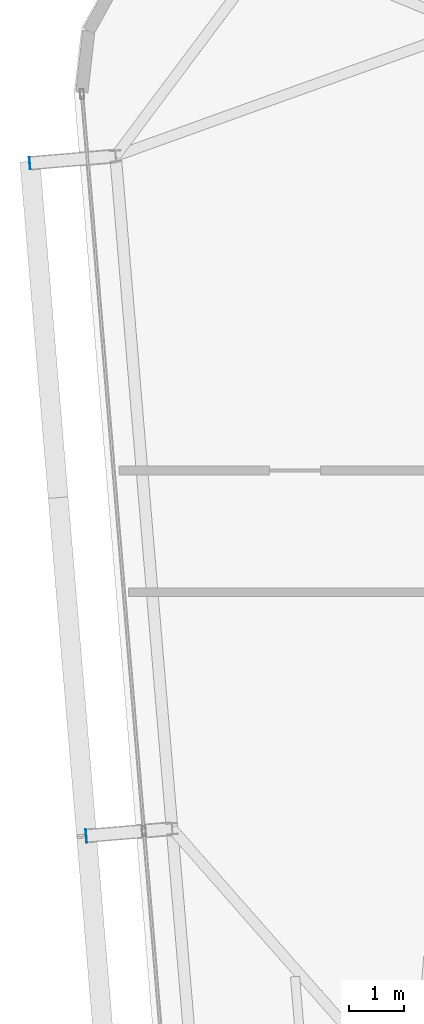
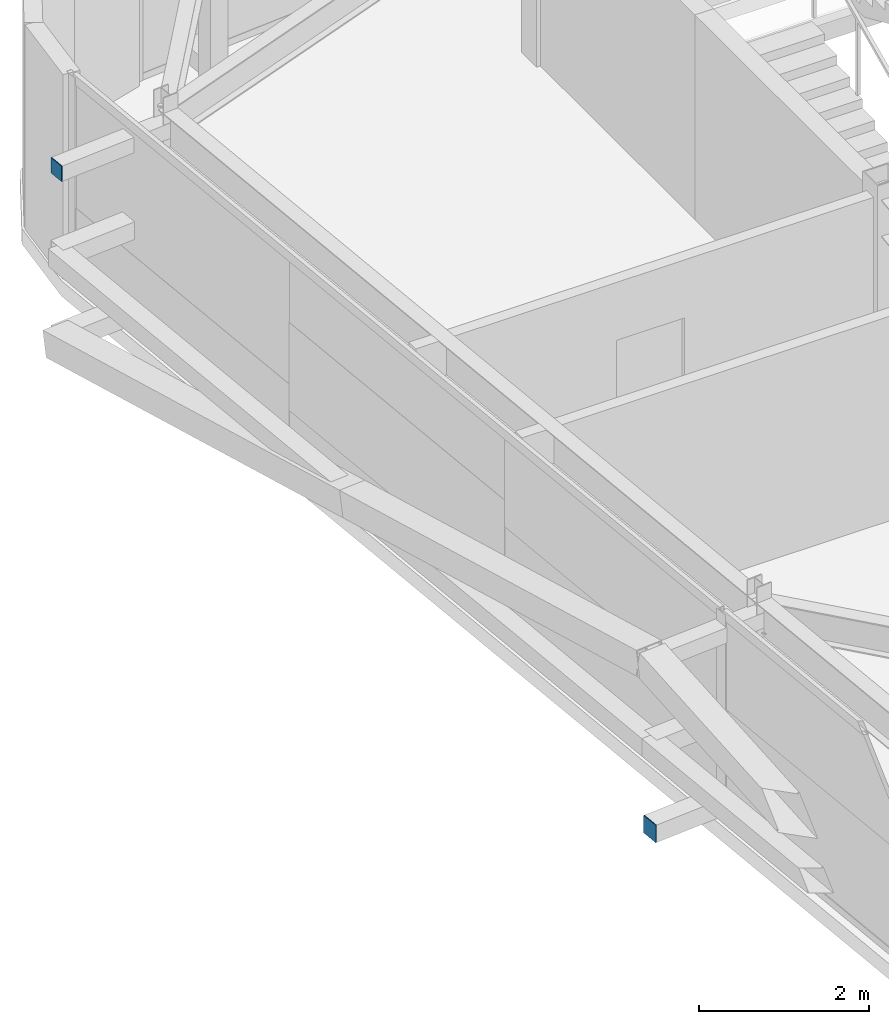
# One storey, part 29 of 39: 2 plates.
"""IFC4 building model written with IfcOpenShell, lengths in metres."""

import ifcopenshell
import ifcopenshell.guid

model = None  # the IFC model being written
_history = None  # IfcOwnerHistory: only IFC2X3 demands one
_inside = {}  # id of a spatial element -> (the spatial element, [elements in it])
_under = {}  # id of a project, library or spatial element -> (it, [spatial elements below it])
_declared = {}  # id of a project -> (the project, [libraries it declares])
_typed = {}  # id of a type object -> (the type object, [elements of that type])
_made_of = {}  # id of a material, layer set ... -> (it, [elements and type objects made of it])


def new_model(schema):
    """Start an empty IFC model of exactly this schema.

    Asked for "IFC4X3", IfcOpenShell would pick the latest addendum, in which some entities
    have other attributes; the version numbers below select the first issue.
    IFC2X3 requires an IfcOwnerHistory on every rooted entity: one is made here for all.
    """
    global model, _history
    if schema == "IFC4X3":
        model = ifcopenshell.file(schema_version=(4, 3, 0, 0))
    else:
        model = ifcopenshell.file(schema=schema)
    _inside.clear()
    _under.clear()
    _declared.clear()
    _typed.clear()
    _made_of.clear()
    _history = None
    if model.schema == "IFC2X3":
        org = make("IfcOrganization", Name="unknown")
        user = make(
            "IfcPersonAndOrganization",
            ThePerson=make("IfcPerson", FamilyName="unknown"),
            TheOrganization=org,
        )
        app = make(
            "IfcApplication",
            ApplicationDeveloper=org,
            Version="unknown",
            ApplicationFullName="unknown",
            ApplicationIdentifier="unknown",
        )
        _history = make(
            "IfcOwnerHistory",
            OwningUser=user,
            OwningApplication=app,
            ChangeAction="ADDED",
            CreationDate=0,
        )
    return model


def make(cls, **values):
    """One entity of the class cls with the attributes given. An attribute that is None is left unset."""
    return model.create_entity(
        cls, **{name: value for name, value in values.items() if value is not None}
    )


def rooted(cls, **values):
    """An entity with a GlobalId (a new one), such as an element, a storey or a relation."""
    return make(cls, GlobalId=ifcopenshell.guid.new(), OwnerHistory=_history, **values)


def si_unit(unit_type, name, prefix=None):
    """IfcSIUnit, for example si_unit("LENGTHUNIT", "METRE", prefix="MILLI")."""
    return make("IfcSIUnit", UnitType=unit_type, Prefix=prefix, Name=name)


def assignment(units):
    """IfcUnitAssignment: the units of a project."""
    return None if units is None else make("IfcUnitAssignment", Units=units)


def point(xyz):
    """IfcCartesianPoint."""
    return None if xyz is None else make("IfcCartesianPoint", Coordinates=xyz)


def direction(xyz):
    """IfcDirection."""
    return None if xyz is None else make("IfcDirection", DirectionRatios=xyz)


def frame(location, z_axis=None, x_axis=None):
    """IfcAxis2Placement3D, a coordinate frame: its origin and axes. An axis left out is left unset."""
    return make(
        "IfcAxis2Placement3D",
        Location=point(location),
        Axis=direction(z_axis),
        RefDirection=direction(x_axis),
    )


def frame_2d(location, x_axis=None):
    """IfcAxis2Placement2D, a coordinate frame in the plane: its origin and x axis."""
    return make(
        "IfcAxis2Placement2D", Location=point(location), RefDirection=direction(x_axis)
    )


def origin():
    """The frame at (0, 0, 0) with its axes left unset."""
    return frame((0.0, 0.0, 0.0))


def origin_2d():
    """The frame at (0, 0) in the plane with its x axis left unset."""
    return frame_2d((0.0, 0.0))


def place(relative_to, where):
    """IfcLocalPlacement: puts the frame where relative to a parent placement (None: the world)."""
    return make(
        "IfcLocalPlacement", PlacementRelTo=relative_to, RelativePlacement=where
    )


def context(
    kind, dimensions, precision=None, world=None, true_north=None, identifier=None
):
    """IfcGeometricRepresentationContext, for example the 3D "Model" context."""
    return make(
        "IfcGeometricRepresentationContext",
        ContextIdentifier=identifier,
        ContextType=kind,
        CoordinateSpaceDimension=dimensions,
        Precision=precision,
        WorldCoordinateSystem=world,
        TrueNorth=true_north,
    )


def subcontext(parent, identifier, kind, view, scale=None):
    """IfcGeometricRepresentationSubContext, for example "Body" below "Model"."""
    return make(
        "IfcGeometricRepresentationSubContext",
        ContextIdentifier=identifier,
        ContextType=kind,
        ParentContext=parent,
        TargetScale=scale,
        TargetView=view,
    )


def project(units=None, contexts=None):
    """IfcProject with its units and contexts."""
    return rooted(
        "IfcProject",
        Name="project",
        RepresentationContexts=contexts,
        UnitsInContext=assignment(units),
    )


def spatial(cls, under=None, at=None, **own):
    """A site, building, storey or space (cls), placed at a placement, below another one or the project."""
    s = rooted(cls, ObjectPlacement=at, **own)
    if under is not None:
        _under.setdefault(under.id(), (under, []))[1].append(s)
    return s


def profile(cls, at=None, kind="AREA", **sizes):
    """A parametric profile (cls). Its sizes go by their IFC names, for example OverallWidth=200.0."""
    return make(cls, ProfileType=kind, Position=at, **sizes)


def rectangle(**sizes):
    """IfcRectangleProfileDef."""
    return profile("IfcRectangleProfileDef", **sizes)


def extrude(swept, where, along, depth):
    """IfcExtrudedAreaSolid: the profile swept, set in the frame where, extruded along a direction by depth."""
    return make(
        "IfcExtrudedAreaSolid",
        SweptArea=swept,
        Position=where,
        ExtrudedDirection=direction(along),
        Depth=depth,
    )


def shape(context_of_items, identifier, shape_type, items):
    """IfcShapeRepresentation: the items that make up one representation, for example the "Body"."""
    return make(
        "IfcShapeRepresentation",
        ContextOfItems=context_of_items,
        RepresentationIdentifier=identifier,
        RepresentationType=shape_type,
        Items=items,
    )


def source(mapping_origin, context_of_items, identifier, shape_type, items):
    """IfcRepresentationMap: a shape defined once, which mapped items show again and again."""
    return make(
        "IfcRepresentationMap",
        MappingOrigin=mapping_origin,
        MappedRepresentation=shape(context_of_items, identifier, shape_type, items),
    )


def transform(
    local_origin,
    x_axis=None,
    y_axis=None,
    z_axis=None,
    scale=None,
    scale2=None,
    scale3=None,
    uniform=True,
):
    """IfcCartesianTransformationOperator3D, or its non-uniform kind. x_axis, y_axis, z_axis: its Axis1, 2, 3."""
    if uniform:
        return make(
            "IfcCartesianTransformationOperator3D",
            Axis1=direction(x_axis),
            Axis2=direction(y_axis),
            LocalOrigin=point(local_origin),
            Scale=scale,
            Axis3=direction(z_axis),
        )
    return make(
        "IfcCartesianTransformationOperator3DnonUniform",
        Axis1=direction(x_axis),
        Axis2=direction(y_axis),
        LocalOrigin=point(local_origin),
        Scale=scale,
        Axis3=direction(z_axis),
        Scale2=scale2,
        Scale3=scale3,
    )


def mapped(mapping_source, mapping_target):
    """IfcMappedItem: shows the shape of a source again, moved by a transform."""
    return make(
        "IfcMappedItem", MappingSource=mapping_source, MappingTarget=mapping_target
    )


def material(Name=None, Category=None):
    """IfcMaterial."""
    return make("IfcMaterial", Name=Name, Category=Category)


def layer(
    of_material, thickness, ventilated=None, Name=None, Category=None, Priority=None
):
    """IfcMaterialLayer: one layer of a wall or slab, of a material (None: an air gap)."""
    return make(
        "IfcMaterialLayer",
        Material=of_material,
        LayerThickness=thickness,
        IsVentilated=ventilated,
        Name=Name,
        Category=Category,
        Priority=Priority,
    )


def layer_set(layers, Name=None):
    """IfcMaterialLayerSet."""
    return make("IfcMaterialLayerSet", MaterialLayers=layers, LayerSetName=Name)


def made_of(thing, what):
    """Note that an element or type object is made of a material, layer set ...; save() writes the relation."""
    if what is not None:
        _made_of.setdefault(what.id(), (what, []))[1].append(thing)
    return thing


def type_object(cls, material=None, **own):
    """A type object (cls), such as IfcWallType, which elements share."""
    return made_of(rooted(cls, **own), material)


def element(
    cls,
    number,
    at=None,
    inside=None,
    cuts=None,
    type_object=None,
    material=None,
    context=None,
    identifier="Body",
    shape_type=None,
    held_by="IfcProductDefinitionShape",
    body=None,
    shapes=None,
    **own,
):
    """One element of the class cls, such as IfcWall. Its Tag is "e" and its number.

    at: its placement. inside: the storey or other place that contains it. cuts: it is an
    opening in that element (IfcRelVoidsElement). A single representation is given by context,
    identifier, shape_type and body (its items); several are given by shapes. held_by: the class
    of the entity that holds the representations. save() writes the other relations.
    """
    e = rooted(cls, Tag="e%d" % number, ObjectPlacement=at, **own)
    if body is not None:
        shapes = [shape(context, identifier, shape_type, body)]
    if shapes is not None:
        e.Representation = make(held_by, Representations=shapes)
    if inside is not None:
        _inside.setdefault(inside.id(), (inside, []))[1].append(e)
    if cuts is not None:
        rooted(
            "IfcRelVoidsElement", RelatingBuildingElement=cuts, RelatedOpeningElement=e
        )
    if type_object is not None:
        _typed.setdefault(type_object.id(), (type_object, []))[1].append(e)
    return made_of(e, material)


def aggregate(whole, parts):
    """IfcRelAggregates: a whole, such as a stair, and the parts it consists of."""
    return rooted("IfcRelAggregates", RelatingObject=whole, RelatedObjects=parts)


def save(model, path):
    """Write the relations noted so far, then the file.

    IfcRelAggregates (storeys below a building ...), IfcRelContainedInSpatialStructure (elements
    in a storey), IfcRelDefinesByType, IfcRelAssociatesMaterial and IfcRelDeclares: one each for
    every whole, place, type object, material and project.
    """
    for whole, parts in _under.values():
        aggregate(whole, parts)
    for where, things in _inside.values():
        rooted(
            "IfcRelContainedInSpatialStructure",
            RelatedElements=things,
            RelatingStructure=where,
        )
    for kind, things in _typed.values():
        rooted("IfcRelDefinesByType", RelatedObjects=things, RelatingType=kind)
    for what, things in _made_of.values():
        rooted("IfcRelAssociatesMaterial", RelatedObjects=things, RelatingMaterial=what)
    for by, libraries in _declared.values():
        rooted("IfcRelDeclares", RelatingContext=by, RelatedDefinitions=libraries)
    model.write(path)


model = new_model("IFC4")

# Units and contexts
model_context = context("Model", 3, precision=1e-05, world=origin(), true_north=direction((0.0, 1.0)))
body_context = subcontext(model_context, "Body", "Model", "MODEL_VIEW")
ifc_project = project(units=[si_unit("LENGTHUNIT", "METRE"), si_unit("AREAUNIT", "SQUARE_METRE"), si_unit("VOLUMEUNIT", "CUBIC_METRE"), si_unit("PLANEANGLEUNIT", "RADIAN"), si_unit("MASSUNIT", "GRAM", prefix="KILO")], contexts=[model_context])

# Site, building, storey
site_placement = place(None, origin())
site = spatial("IfcSite", under=ifc_project, at=site_placement, CompositionType="ELEMENT")
building_placement = place(site_placement, origin())
building = spatial("IfcBuilding", under=site, at=building_placement, Name="Taldren Reach Tower", CompositionType="ELEMENT")
storey_placement = place(building_placement, frame((0.0, 0.0, 197.75)))
storey = spatial("IfcBuildingStorey", under=building, at=storey_placement, Name="L60", CompositionType="ELEMENT", Elevation=197.75)

# Plates
ifc_material_1 = material(Name="Steel Gr 350 (C350L0)", Category="steel")
ifc_layer_1 = layer(ifc_material_1, 0.011962890625)
ifc_layer_set_1 = layer_set([ifc_layer_1], Name="Steel Gr 350 (C350L0)")
plate_type_1 = type_object("IfcPlateType", Name="PL-CAP-250", PredefinedType="SHEET", material=ifc_layer_set_1)
shared_shape_1 = source(origin(), body_context, "Body", "SweptSolid", [
    extrude(rectangle(XDim=0.011962890625, YDim=0.25, at=origin_2d()), origin(), (0.0, 0.0, 1.0), 0.25),
])
plate_1_placement = place(storey_placement, frame((12.0322265625, 17.39501953125, 0.094970703125), z_axis=(0.0, 0.0, 1.0), x_axis=(0.99649285925, 0.083677843332, 0.0)))
element("IfcPlate", 1, at=plate_1_placement, inside=storey, type_object=plate_type_1, Name="Tie strut end cap plate B4-W2 L60", PredefinedType="SHEET", context=body_context, shape_type="MappedRepresentation", body=[
    mapped(shared_shape_1, transform((0.0, 0.0, 0.0), scale=1.0)),
])
ifc_material_2 = material(Name="Steel Gr 450 (C450L0)", Category="steel")
ifc_layer_2 = layer(ifc_material_2, 0.011962890625)
ifc_layer_set_2 = layer_set([ifc_layer_2], Name="Steel Gr 450 (C450L0)")
plate_type_2 = type_object("IfcPlateType", Name="PL-CAP-220", PredefinedType="SHEET", material=ifc_layer_set_2)
shared_shape_2 = source(origin(), body_context, "Body", "SweptSolid", [
    extrude(rectangle(XDim=0.011962890625, YDim=0.219970703125, at=origin_2d()), origin(), (0.0, 0.0, 1.0), 0.219970703125),
])
plate_2_placement = place(storey_placement, frame((11.011474609375, 29.55224609375, 2.5400390625), z_axis=(0.0, 0.0, 1.0), x_axis=(0.99649285925, 0.083677843332, 0.0)))
element("IfcPlate", 2, at=plate_2_placement, inside=storey, type_object=plate_type_2, Name="Tie strut end cap plate B4-W3 L60", PredefinedType="SHEET", context=body_context, shape_type="MappedRepresentation", body=[
    mapped(shared_shape_2, transform((0.0, 0.0, 0.0), scale=1.0)),
])

save(model, "model.ifc")
